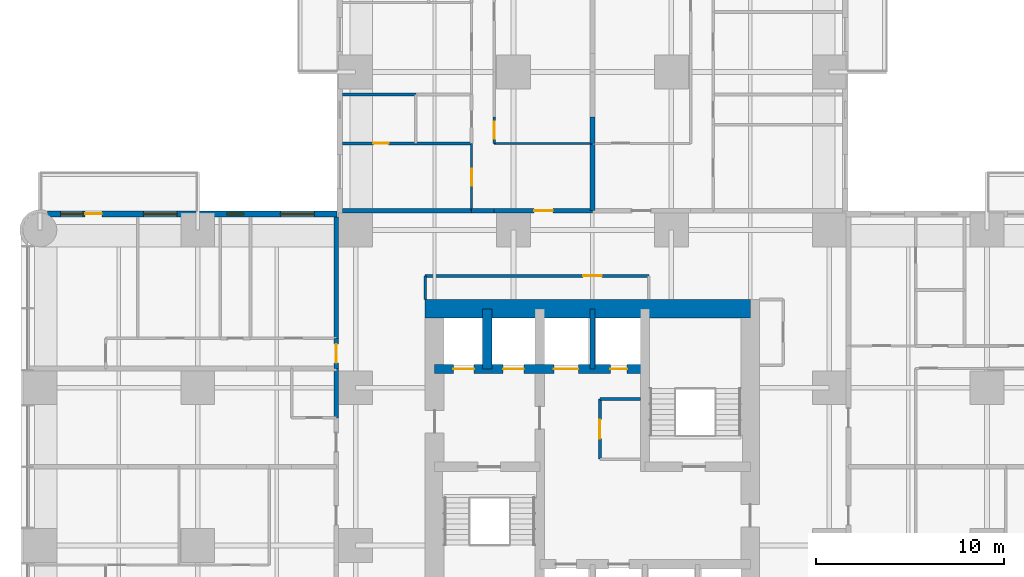
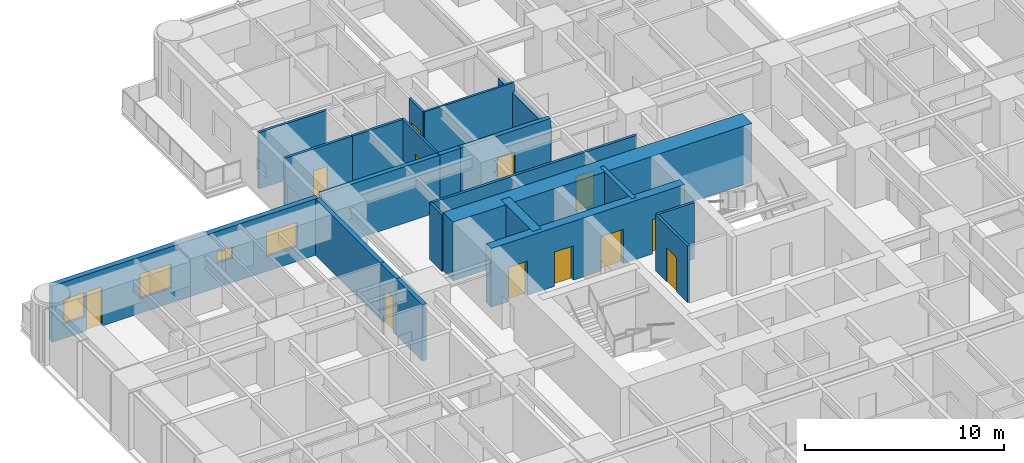
# One storey, part 12 of 17: 23 walls, 12 doors, 4 windows, 16 openings.
"""IFC4 building model written with IfcOpenShell, lengths in metres."""

from ifc_helpers import new_model, si_unit, direction, frame, frame_2d, origin, place, context, subcontext, project, spatial, rectangle, extrude, material, layer, layer_set, type_object, element, fill, save


model = new_model("IFC4")

# Units and contexts
model_context = context("Model", 3, precision=1e-05, world=origin(), true_north=direction((0.0, 1.0)))
body_context = subcontext(model_context, "Body", "Model", "MODEL_VIEW")
ifc_project = project(units=[si_unit("LENGTHUNIT", "METRE"), si_unit("AREAUNIT", "SQUARE_METRE"), si_unit("VOLUMEUNIT", "CUBIC_METRE"), si_unit("PLANEANGLEUNIT", "RADIAN"), si_unit("MASSUNIT", "GRAM", prefix="KILO")], contexts=[model_context])

# Site, building, storey
site_placement = place(None, origin())
site = spatial("IfcSite", under=ifc_project, at=site_placement, CompositionType="ELEMENT")
building_placement = place(site_placement, origin())
building = spatial("IfcBuilding", under=site, at=building_placement, Name="Torre Alcanfor", CompositionType="ELEMENT")
storey_placement = place(building_placement, frame((0.0, 0.0, 41.699951171875)))
storey = spatial("IfcBuildingStorey", under=building, at=storey_placement, Name="L09", CompositionType="ELEMENT", Elevation=41.699951171875)

# Wall, opening, door
ifc_material_1 = material(Name="Concrete block masonry, hollow blocks NMX-C-404 9 MPa", Category="masonry")
ifc_layer_1 = layer(ifc_material_1, 0.25)
ifc_layer_set_1 = layer_set([ifc_layer_1], Name="Apartment entrance wall 250 EI 60")
wall_type_1 = type_object("IfcWallType", Name="Apartment entrance wall 250 EI 60", PredefinedType="PARTITIONING", material=ifc_layer_set_1)
wall_1_placement = place(storey_placement, frame((24.1708984375, 43.02490234375, 0.0), z_axis=(0.0, 0.0, 1.0), x_axis=(1.0, 0.0, 0.0)))
wall_1 = element("IfcWall", 1, at=wall_1_placement, inside=storey, type_object=wall_type_1, Name="Partition L09-CORR / L09-N1-ZAG", PredefinedType="PARTITIONING", context=body_context, shape_type="SweptSolid", body=[
    extrude(rectangle(XDim=5.22900390625, YDim=0.25, at=frame_2d((2.614501953125, 0.0))), origin(), (0.0, 0.0, 1.0), 3.449951171875),
])
opening_1_placement = place(wall_1_placement, frame((2.12890625, 0.0, 0.0)))
opening_1 = element("IfcOpeningElement", 2, at=opening_1_placement, cuts=wall_1, Name="Opening D-A1", PredefinedType="OPENING", context=body_context, shape_type="SweptSolid", body=[
    extrude(rectangle(XDim=1.0, YDim=2.10009765625, at=frame_2d((0.5, 1.050048828125))), frame((0.0, 0.135009765625, 0.0), z_axis=(0.0, -1.0, 0.0), x_axis=(1.0, 0.0, 0.0)), (0.0, 0.0, 1.0), 0.27001953125),
])
ifc_material_2 = material(Name="Galvanised steel sheet ASTM A653", Category="steel")
door_type_1 = type_object("IfcDoorType", Name="Apartment entrance door FD60 1000x2100", OperationType="SINGLE_SWING_LEFT", PredefinedType="DOOR", material=ifc_material_2)
door_1_placement = place(opening_1_placement, origin())
door_1 = element("IfcDoor", 3, at=door_1_placement, inside=storey, type_object=door_type_1, Name="Apartment entrance L09-N1", OperationType="SINGLE_SWING_RIGHT", OverallHeight=2.10009765625, OverallWidth=1.0, PredefinedType="DOOR", context=body_context, shape_type="SweptSolid", body=[
    extrude(rectangle(XDim=1.0, YDim=2.10009765625, at=frame_2d((0.5, 1.050048828125))), frame((0.0, 0.02490234375, 0.0), z_axis=(0.0, -1.0, 0.0), x_axis=(1.0, 0.0, 0.0)), (0.0, 0.0, 1.0), 0.050048828125),
])
fill(opening_1, door_1)

# Walls
wall_2_placement = place(storey_placement, frame((22.970947265625, 43.02490234375, 0.0), z_axis=(0.0, 0.0, 1.0), x_axis=(1.0, 0.0, 0.0)))
element("IfcWall", 4, at=wall_2_placement, inside=storey, type_object=wall_type_1, Name="Partition L09-CORR / L09-N1-HALL", PredefinedType="PARTITIONING", context=body_context, shape_type="SweptSolid", body=[
    extrude(rectangle(XDim=1.199951171875, YDim=0.25, at=frame_2d((0.60009765625, 0.0))), origin(), (0.0, 0.0, 1.0), 3.449951171875),
])
wall_3_placement = place(storey_placement, frame((16.10009765625, 43.02490234375, 0.0), z_axis=(0.0, 0.0, 1.0), x_axis=(1.0, 0.0, 0.0)))
element("IfcWall", 5, at=wall_3_placement, inside=storey, type_object=wall_type_1, Name="Partition L09-CORR / L09-N1-SERV", PredefinedType="PARTITIONING", context=body_context, shape_type="SweptSolid", body=[
    extrude(rectangle(XDim=6.870849609375, YDim=0.25, at=frame_2d((3.435546875, 0.0))), origin(), (0.0, 0.0, 1.0), 3.449951171875),
])
wall_4_placement = place(storey_placement, frame((15.77490234375, 32.0, 0.0), z_axis=(0.0, 0.0, 1.0), x_axis=(0.0, 1.0, 0.0)))
element("IfcWall", 6, at=wall_4_placement, inside=storey, type_object=wall_type_1, Name="Partition L09-CORR / L09-W2A-BATH", PredefinedType="PARTITIONING", context=body_context, shape_type="SweptSolid", body=[
    extrude(rectangle(XDim=2.62890625, YDim=0.25, at=frame_2d((1.314453125, 0.0))), origin(), (0.0, 0.0, 1.0), 3.449951171875),
])

# Wall, opening, door
wall_5_placement = place(storey_placement, frame((15.77490234375, 34.62890625, 0.0), z_axis=(0.0, 0.0, 1.0), x_axis=(0.0, 1.0, 0.0)))
wall_5 = element("IfcWall", 7, at=wall_5_placement, inside=storey, type_object=wall_type_1, Name="Partition L09-CORR / L09-W2B-HALL", PredefinedType="PARTITIONING", context=body_context, shape_type="SweptSolid", body=[
    extrude(rectangle(XDim=1.60009765625, YDim=0.25, at=frame_2d((0.800048828125, 0.0))), origin(), (0.0, 0.0, 1.0), 3.449951171875),
])
opening_2_placement = place(wall_5_placement, frame((0.300048828125, 0.0, 0.0)))
opening_2 = element("IfcOpeningElement", 8, at=opening_2_placement, cuts=wall_5, Name="Opening D-A1", PredefinedType="OPENING", context=body_context, shape_type="SweptSolid", body=[
    extrude(rectangle(XDim=1.0, YDim=2.10009765625, at=frame_2d((0.5, 1.050048828125))), frame((0.0, 0.135009765625, 0.0), z_axis=(0.0, -1.0, 0.0), x_axis=(1.0, 0.0, 0.0)), (0.0, 0.0, 1.0), 0.27001953125),
])
door_2_placement = place(opening_2_placement, origin())
door_2 = element("IfcDoor", 9, at=door_2_placement, inside=storey, type_object=door_type_1, Name="Apartment entrance L09-W2B", OperationType="SINGLE_SWING_LEFT", OverallHeight=2.10009765625, OverallWidth=1.0, PredefinedType="DOOR", context=body_context, shape_type="SweptSolid", body=[
    extrude(rectangle(XDim=1.0, YDim=2.10009765625, at=frame_2d((0.5, 1.050048828125))), frame((0.0, 0.02490234375, 0.0), z_axis=(0.0, -1.0, 0.0), x_axis=(1.0, 0.0, 0.0)), (0.0, 0.0, 1.0), 0.050048828125),
])
fill(opening_2, door_2)

# Walls
wall_6_placement = place(storey_placement, frame((15.77490234375, 36.22900390625, 0.0), z_axis=(0.0, 0.0, 1.0), x_axis=(0.0, 1.0, 0.0)))
element("IfcWall", 10, at=wall_6_placement, inside=storey, type_object=wall_type_1, Name="Partition L09-CORR / L09-W2B-MASTER", PredefinedType="PARTITIONING", context=body_context, shape_type="SweptSolid", body=[
    extrude(rectangle(XDim=6.470947265625, YDim=0.25, at=frame_2d((3.2353515625, 0.0))), origin(), (0.0, 0.0, 1.0), 3.449951171875),
])
ifc_material_3 = material(Name="Gypsum board on steel studs", Category="steel")
ifc_layer_2 = layer(ifc_material_3, 0.1201171875)
ifc_layer_set_2 = layer_set([ifc_layer_2], Name="Apartment partition 120")
wall_type_2 = type_object("IfcWallType", Name="Apartment partition 120", PredefinedType="PARTITIONING", material=ifc_layer_set_2)
wall_7_placement = place(storey_placement, frame((29.39990234375, 46.60009765625, 0.0), z_axis=(0.0, 0.0, 1.0), x_axis=(-1.0, 0.0, 0.0)))
element("IfcWall", 11, at=wall_7_placement, inside=storey, type_object=wall_type_2, Name="Partition L09-N1-ZAG / L09-N1-LAUND", PredefinedType="PARTITIONING", context=body_context, shape_type="SweptSolid", body=[
    extrude(rectangle(XDim=5.22900390625, YDim=0.1201171875, at=frame_2d((2.614501953125, 0.0))), origin(), (0.0, 0.0, 1.0), 3.449951171875),
])

# Wall, opening, door
wall_8_placement = place(storey_placement, frame((24.1708984375, 48.0, 0.0), z_axis=(0.0, 0.0, 1.0), x_axis=(0.0, -1.0, 0.0)))
wall_8 = element("IfcWall", 12, at=wall_8_placement, inside=storey, type_object=wall_type_2, Name="Partition L09-N1-LAUND / L09-N1-HALL", PredefinedType="PARTITIONING", context=body_context, shape_type="SweptSolid", body=[
    extrude(rectangle(XDim=1.39990234375, YDim=0.1201171875, at=frame_2d((0.699951171875, 0.0))), origin(), (0.0, 0.0, 1.0), 3.449951171875),
])
opening_3_placement = place(wall_8_placement, frame((0.25, 0.0, 0.0)))
opening_3 = element("IfcOpeningElement", 13, at=opening_3_placement, cuts=wall_8, Name="Opening D-R1", PredefinedType="OPENING", context=body_context, shape_type="SweptSolid", body=[
    extrude(rectangle(XDim=0.89990234375, YDim=2.10009765625, at=frame_2d((0.449951171875, 1.050048828125))), frame((0.0, 0.070068359375, 0.0), z_axis=(0.0, -1.0, 0.0), x_axis=(1.0, 0.0, 0.0)), (0.0, 0.0, 1.0), 0.14013671875),
])
ifc_material_4 = material(Name="Timber", Category="wood")
door_type_2 = type_object("IfcDoorType", Name="Internal door 900x2100", OperationType="SINGLE_SWING_LEFT", PredefinedType="DOOR", material=ifc_material_4)
door_3_placement = place(opening_3_placement, origin())
door_3 = element("IfcDoor", 14, at=door_3_placement, inside=storey, type_object=door_type_2, Name="Door L09-N1 laund", OperationType="SINGLE_SWING_LEFT", OverallHeight=2.10009765625, OverallWidth=0.89990234375, PredefinedType="DOOR", context=body_context, shape_type="SweptSolid", body=[
    extrude(rectangle(XDim=0.89990234375, YDim=2.10009765625, at=frame_2d((0.449951171875, 1.050048828125))), frame((0.0, 0.02490234375, 0.0), z_axis=(0.0, -1.0, 0.0), x_axis=(1.0, 0.0, 0.0)), (0.0, 0.0, 1.0), 0.050048828125),
])
fill(opening_3, door_3)

wall_9_placement = place(storey_placement, frame((22.970947265625, 46.60009765625, 0.0), z_axis=(0.0, 0.0, 1.0), x_axis=(0.0, -1.0, 0.0)))
wall_9 = element("IfcWall", 15, at=wall_9_placement, inside=storey, type_object=wall_type_2, Name="Partition L09-N1-HALL / L09-N1-SERV", PredefinedType="PARTITIONING", context=body_context, shape_type="SweptSolid", body=[
    extrude(rectangle(XDim=3.5751953125, YDim=0.1201171875, at=frame_2d((1.78759765625, 0.0))), origin(), (0.0, 0.0, 1.0), 3.449951171875),
])
opening_4_placement = place(wall_9_placement, frame((1.35009765625, 0.0, 0.0)))
opening_4 = element("IfcOpeningElement", 16, at=opening_4_placement, cuts=wall_9, Name="Opening D-R1", PredefinedType="OPENING", context=body_context, shape_type="SweptSolid", body=[
    extrude(rectangle(XDim=0.89990234375, YDim=2.10009765625, at=frame_2d((0.449951171875, 1.050048828125))), frame((0.0, 0.070068359375, 0.0), z_axis=(0.0, -1.0, 0.0), x_axis=(1.0, 0.0, 0.0)), (0.0, 0.0, 1.0), 0.14013671875),
])
door_4_placement = place(opening_4_placement, frame((0.89990234375, 0.0, 0.0), z_axis=(0.0, 0.0, 1.0), x_axis=(-1.0, 0.0, 0.0)))
door_4 = element("IfcDoor", 17, at=door_4_placement, inside=storey, type_object=door_type_2, Name="Door L09-N1 serv", OperationType="SINGLE_SWING_LEFT", OverallHeight=2.10009765625, OverallWidth=0.89990234375, PredefinedType="DOOR", context=body_context, shape_type="SweptSolid", body=[
    extrude(rectangle(XDim=0.89990234375, YDim=2.10009765625, at=frame_2d((0.449951171875, 1.050048828125))), frame((0.0, 0.025146484375, 0.0), z_axis=(0.0, -1.0, 0.0), x_axis=(1.0, 0.0, 0.0)), (0.0, 0.0, 1.0), 0.050048828125),
])
fill(opening_4, door_4)

# Wall, openings, doors
ifc_material_5 = material(Name="Concrete f'c 70 MPa", Category="concrete")
ifc_layer_3 = layer(ifc_material_5, 0.5)
ifc_layer_set_3 = layer_set([ifc_layer_3], Name="Core inner wall 500 f'c70")
wall_type_3 = type_object("IfcWallType", Name="Core inner wall 500 f'c70", PredefinedType="SHEAR", material=ifc_layer_set_3)
wall_10_placement = place(storey_placement, frame((21.0, 34.60009765625, 0.0), z_axis=(0.0, 0.0, 1.0), x_axis=(1.0, 0.0, 0.0)))
wall_10 = element("IfcWall", 18, at=wall_10_placement, inside=storey, type_object=wall_type_3, Name="Core wall Y346 L09", PredefinedType="SHEAR", context=body_context, shape_type="SweptSolid", body=[
    extrude(rectangle(XDim=11.199951171875, YDim=0.5, at=frame_2d((5.60009765625, 0.0))), origin(), (0.0, 0.0, 1.0), 3.60009765625),
])
opening_5_placement = place(wall_10_placement, frame((9.35009765625, 0.0, 0.0)))
opening_5 = element("IfcOpeningElement", 19, at=opening_5_placement, cuts=wall_10, Name="Opening D-Q1", PredefinedType="OPENING", context=body_context, shape_type="SweptSolid", body=[
    extrude(rectangle(XDim=0.89990234375, YDim=2.10009765625, at=frame_2d((0.449951171875, 1.050048828125))), frame((0.0, 0.260009765625, 0.0), z_axis=(0.0, -1.0, 0.0), x_axis=(1.0, 0.0, 0.0)), (0.0, 0.0, 1.0), 0.52001953125),
])
opening_6_placement = place(wall_10_placement, frame((1.0, 0.0, 0.0)))
opening_6 = element("IfcOpeningElement", 20, at=opening_6_placement, cuts=wall_10, Name="Opening LD2", PredefinedType="OPENING", context=body_context, shape_type="SweptSolid", body=[
    extrude(rectangle(XDim=1.10009765625, YDim=2.10009765625, at=frame_2d((0.550048828125, 1.050048828125))), frame((0.0, 0.260009765625, 0.0), z_axis=(0.0, -1.0, 0.0), x_axis=(1.0, 0.0, 0.0)), (0.0, 0.0, 1.0), 0.52001953125),
])
opening_7_placement = place(wall_10_placement, frame((3.64990234375, 0.0, 0.0)))
opening_7 = element("IfcOpeningElement", 21, at=opening_7_placement, cuts=wall_10, Name="Opening LD2", PredefinedType="OPENING", context=body_context, shape_type="SweptSolid", body=[
    extrude(rectangle(XDim=1.10009765625, YDim=2.10009765625, at=frame_2d((0.550048828125, 1.050048828125))), frame((0.0, 0.260009765625, 0.0), z_axis=(0.0, -1.0, 0.0), x_axis=(1.0, 0.0, 0.0)), (0.0, 0.0, 1.0), 0.52001953125),
])
opening_8_placement = place(wall_10_placement, frame((6.35009765625, 0.0, 0.0)))
opening_8 = element("IfcOpeningElement", 22, at=opening_8_placement, cuts=wall_10, Name="Opening LD3", PredefinedType="OPENING", context=body_context, shape_type="SweptSolid", body=[
    extrude(rectangle(XDim=1.300048828125, YDim=2.10009765625, at=frame_2d((0.64990234375, 1.050048828125))), frame((0.0, 0.260009765625, 0.0), z_axis=(0.0, -1.0, 0.0), x_axis=(1.0, 0.0, 0.0)), (0.0, 0.0, 1.0), 0.52001953125),
])
ifc_material_6 = material(Name="Galvanised steel sheet ASTM A653", Category="steel")
door_type_3 = type_object("IfcDoorType", Name="Firefighting lift landing door 1100x2100", OperationType="DOUBLE_DOOR_SLIDING", PredefinedType="DOOR", material=ifc_material_6)
door_5_placement = place(opening_6_placement, origin())
door_5 = element("IfcDoor", 23, at=door_5_placement, inside=storey, type_object=door_type_3, Name="Lift landing door FL1 L09", OperationType="DOUBLE_DOOR_SLIDING", OverallHeight=2.10009765625, OverallWidth=1.10009765625, PredefinedType="DOOR", context=body_context, shape_type="SweptSolid", body=[
    extrude(rectangle(XDim=1.10009765625, YDim=2.10009765625, at=frame_2d((0.550048828125, 1.050048828125))), frame((0.0, 0.02490234375, 0.0), z_axis=(0.0, -1.0, 0.0), x_axis=(1.0, 0.0, 0.0)), (0.0, 0.0, 1.0), 0.050048828125),
])
fill(opening_6, door_5)
door_6_placement = place(opening_7_placement, origin())
door_6 = element("IfcDoor", 24, at=door_6_placement, inside=storey, type_object=door_type_3, Name="Lift landing door FL2 L09", OperationType="DOUBLE_DOOR_SLIDING", OverallHeight=2.10009765625, OverallWidth=1.10009765625, PredefinedType="DOOR", context=body_context, shape_type="SweptSolid", body=[
    extrude(rectangle(XDim=1.10009765625, YDim=2.10009765625, at=frame_2d((0.550048828125, 1.050048828125))), frame((0.0, 0.02490234375, 0.0), z_axis=(0.0, -1.0, 0.0), x_axis=(1.0, 0.0, 0.0)), (0.0, 0.0, 1.0), 0.050048828125),
])
fill(opening_7, door_6)
ifc_material_7 = material(Name="Galvanised steel sheet ASTM A653", Category="steel")
door_type_4 = type_object("IfcDoorType", Name="Riser access door FD120 900x2100", OperationType="SINGLE_SWING_LEFT", PredefinedType="DOOR", material=ifc_material_7)
door_7_placement = place(opening_5_placement, origin())
door_7 = element("IfcDoor", 25, at=door_7_placement, inside=storey, type_object=door_type_4, Name="Riser door L09", OperationType="SINGLE_SWING_LEFT", OverallHeight=2.10009765625, OverallWidth=0.89990234375, PredefinedType="DOOR", context=body_context, shape_type="SweptSolid", body=[
    extrude(rectangle(XDim=0.89990234375, YDim=2.10009765625, at=frame_2d((0.449951171875, 1.050048828125))), frame((0.0, 0.02490234375, 0.0), z_axis=(0.0, -1.0, 0.0), x_axis=(1.0, 0.0, 0.0)), (0.0, 0.0, 1.0), 0.050048828125),
])
fill(opening_5, door_7)
ifc_material_8 = material(Name="Galvanised steel sheet ASTM A653", Category="steel")
door_type_5 = type_object("IfcDoorType", Name="Service lift landing door 1300x2100", OperationType="DOUBLE_DOOR_SLIDING", PredefinedType="DOOR", material=ifc_material_8)
door_8_placement = place(opening_8_placement, origin())
door_8 = element("IfcDoor", 26, at=door_8_placement, inside=storey, type_object=door_type_5, Name="Lift landing door SL1 L09", OperationType="DOUBLE_DOOR_SLIDING", OverallHeight=2.10009765625, OverallWidth=1.300048828125, PredefinedType="DOOR", context=body_context, shape_type="SweptSolid", body=[
    extrude(rectangle(XDim=1.300048828125, YDim=2.10009765625, at=frame_2d((0.64990234375, 1.050048828125))), frame((0.0, 0.02490234375, 0.0), z_axis=(0.0, -1.0, 0.0), x_axis=(1.0, 0.0, 0.0)), (0.0, 0.0, 1.0), 0.050048828125),
])
fill(opening_8, door_8)

# Walls
wall_11_placement = place(storey_placement, frame((23.800048828125, 34.60009765625, 0.0), z_axis=(0.0, 0.0, 1.0), x_axis=(0.0, 1.0, 0.0)))
element("IfcWall", 27, at=wall_11_placement, inside=storey, type_object=wall_type_3, Name="Core wall X238 L09", PredefinedType="SHEAR", context=body_context, shape_type="SweptSolid", body=[
    extrude(rectangle(XDim=3.199951171875, YDim=0.5, at=frame_2d((1.60009765625, 0.0))), origin(), (0.0, 0.0, 1.0), 3.60009765625),
])
ifc_material_9 = material(Name="Concrete f'c 70 MPa", Category="concrete")
ifc_layer_4 = layer(ifc_material_9, 0.25)
ifc_layer_set_4 = layer_set([ifc_layer_4], Name="Core shaft wall 250 f'c70")
wall_type_4 = type_object("IfcWallType", Name="Core shaft wall 250 f'c70", PredefinedType="SHEAR", material=ifc_layer_set_4)
wall_12_placement = place(storey_placement, frame((29.39990234375, 34.60009765625, 0.0), z_axis=(0.0, 0.0, 1.0), x_axis=(0.0, 1.0, 0.0)))
element("IfcWall", 28, at=wall_12_placement, inside=storey, type_object=wall_type_4, Name="Core wall X294N L09", PredefinedType="SHEAR", context=body_context, shape_type="SweptSolid", body=[
    extrude(rectangle(XDim=3.199951171875, YDim=0.25, at=frame_2d((1.60009765625, 0.0))), origin(), (0.0, 0.0, 1.0), 3.60009765625),
])
ifc_material_10 = material(Name="Concrete f'c 70 MPa", Category="concrete")
ifc_layer_5 = layer(ifc_material_10, 1.0)
ifc_layer_set_5 = layer_set([ifc_layer_5], Name="Core wall 1000 f'c70")
wall_type_5 = type_object("IfcWallType", Name="Core wall 1000 f'c70", PredefinedType="SHEAR", material=ifc_layer_set_5)
wall_13_placement = place(storey_placement, frame((37.800048828125, 37.800048828125, 0.0), z_axis=(0.0, 0.0, 1.0), x_axis=(-1.0, 0.0, 0.0)))
element("IfcWall", 29, at=wall_13_placement, inside=storey, type_object=wall_type_5, Name="Core wall OUT-N L09", PredefinedType="SHEAR", context=body_context, shape_type="SweptSolid", body=[
    extrude(rectangle(XDim=17.300048828125, YDim=1.0, at=frame_2d((8.64990234375, 0.0))), origin(), (0.0, 0.0, 1.0), 3.60009765625),
])

# Wall, openings, door, windows
ifc_material_11 = material(Name="Limestone cladding", Category="masonry")
ifc_layer_6 = layer(ifc_material_11, 0.0400390625, Name="Facing")
ifc_material_12 = material(Name="Ventilated air cavity")
ifc_layer_7 = layer(ifc_material_12, 0.02001953125, ventilated=True, Name="Ventilated joint")
ifc_material_13 = material(Name="Mineral wool insulation", Category="insulation")
ifc_layer_8 = layer(ifc_material_13, 0.10009765625, Name="Insulation")
ifc_material_14 = material(Name="Concrete f'c 35 MPa", Category="concrete")
ifc_layer_9 = layer(ifc_material_14, 0.139892578125, Name="Backing")
ifc_layer_set_6 = layer_set([ifc_layer_6, ifc_layer_7, ifc_layer_8, ifc_layer_9], Name="External wall stone-clad 300")
wall_type_6 = type_object("IfcWallType", Name="External wall stone-clad 300", PredefinedType="SOLIDWALL", material=ifc_layer_set_6)
wall_14_placement = place(storey_placement, frame((15.800048828125, 42.85009765625, 0.0), z_axis=(0.0, 0.0, 1.0), x_axis=(-1.0, 0.0, 0.0)))
wall_14 = element("IfcWall", 30, at=wall_14_placement, inside=storey, type_object=wall_type_6, Name="External wall L09 1", PredefinedType="SOLIDWALL", context=body_context, shape_type="SweptSolid", body=[
    extrude(rectangle(XDim=15.400146484375, YDim=0.300048828125, at=frame_2d((7.7001953125, 0.0))), origin(), (0.0, 0.0, 1.0), 3.449951171875),
])
opening_9_placement = place(wall_14_placement, frame((1.199951171875, 0.0, 0.89990234375)))
opening_9 = element("IfcOpeningElement", 31, at=opening_9_placement, cuts=wall_14, Name="Opening W2", PredefinedType="OPENING", context=body_context, shape_type="SweptSolid", body=[
    extrude(rectangle(XDim=1.800048828125, YDim=1.5, at=frame_2d((0.89990234375, 0.75))), frame((0.0, 0.159912109375, 0.0), z_axis=(0.0, -1.0, 0.0), x_axis=(1.0, 0.0, 0.0)), (0.0, 0.0, 1.0), 0.320068359375),
])
opening_10_placement = place(wall_14_placement, frame((4.949951171875, 0.0, 1.5)))
opening_10 = element("IfcOpeningElement", 32, at=opening_10_placement, cuts=wall_14, Name="Opening W3", PredefinedType="OPENING", context=body_context, shape_type="SweptSolid", body=[
    extrude(rectangle(XDim=0.89990234375, YDim=0.699951171875, at=frame_2d((0.449951171875, 0.35009765625))), frame((0.0, 0.159912109375, 0.0), z_axis=(0.0, -1.0, 0.0), x_axis=(1.0, 0.0, 0.0)), (0.0, 0.0, 1.0), 0.320068359375),
])
opening_11_placement = place(wall_14_placement, frame((8.5, 0.0, 0.89990234375)))
opening_11 = element("IfcOpeningElement", 33, at=opening_11_placement, cuts=wall_14, Name="Opening W2", PredefinedType="OPENING", context=body_context, shape_type="SweptSolid", body=[
    extrude(rectangle(XDim=1.800048828125, YDim=1.5, at=frame_2d((0.89990234375, 0.75))), frame((0.0, 0.159912109375, 0.0), z_axis=(0.0, -1.0, 0.0), x_axis=(1.0, 0.0, 0.0)), (0.0, 0.0, 1.0), 0.320068359375),
])
opening_12_placement = place(wall_14_placement, frame((12.5, 0.0, 0.0)))
opening_12 = element("IfcOpeningElement", 34, at=opening_12_placement, cuts=wall_14, Name="Opening D-B1", PredefinedType="OPENING", context=body_context, shape_type="SweptSolid", body=[
    extrude(rectangle(XDim=0.89990234375, YDim=2.39990234375, at=frame_2d((0.449951171875, 1.199951171875))), frame((0.0, 0.159912109375, 0.0), z_axis=(0.0, -1.0, 0.0), x_axis=(1.0, 0.0, 0.0)), (0.0, 0.0, 1.0), 0.320068359375),
])
opening_13_placement = place(wall_14_placement, frame((13.5, 0.0, 0.89990234375)))
opening_13 = element("IfcOpeningElement", 35, at=opening_13_placement, cuts=wall_14, Name="Opening W4", PredefinedType="OPENING", context=body_context, shape_type="SweptSolid", body=[
    extrude(rectangle(XDim=1.199951171875, YDim=1.5, at=frame_2d((0.60009765625, 0.75))), frame((0.0, 0.159912109375, 0.0), z_axis=(0.0, -1.0, 0.0), x_axis=(1.0, 0.0, 0.0)), (0.0, 0.0, 1.0), 0.320068359375),
])
ifc_material_15 = material(Name="Aluminium and glass", Category="aluminium")
door_type_6 = type_object("IfcDoorType", Name="Balcony door glazed 900x2400", OperationType="SINGLE_SWING_LEFT", PredefinedType="DOOR", material=ifc_material_15)
door_9_placement = place(opening_12_placement, origin())
door_9 = element("IfcDoor", 36, at=door_9_placement, inside=storey, type_object=door_type_6, Name="Balcony door L09-W2", OperationType="SINGLE_SWING_LEFT", OverallHeight=2.39990234375, OverallWidth=0.89990234375, PredefinedType="DOOR", context=body_context, shape_type="SweptSolid", body=[
    extrude(rectangle(XDim=0.89990234375, YDim=2.39990234375, at=frame_2d((0.449951171875, 1.199951171875))), frame((0.0, 0.02490234375, 0.0), z_axis=(0.0, -1.0, 0.0), x_axis=(1.0, 0.0, 0.0)), (0.0, 0.0, 1.0), 0.050048828125),
])
fill(opening_12, door_9)
ifc_material_16 = material(Name="Aluminium frame with clear double glazing", Category="aluminium")
window_type_1 = type_object("IfcWindowType", Name="Window bathroom 900x700", PartitioningType="SINGLE_PANEL", PredefinedType="WINDOW", material=ifc_material_16)
window_1_placement = place(opening_10_placement, origin())
window_1 = element("IfcWindow", 37, at=window_1_placement, inside=storey, type_object=window_type_1, Name="Window W3 L09-W2", OverallHeight=0.699951171875, OverallWidth=0.89990234375, PartitioningType="SINGLE_PANEL", PredefinedType="WINDOW", context=body_context, shape_type="SweptSolid", body=[
    extrude(rectangle(XDim=0.89990234375, YDim=0.699951171875, at=frame_2d((0.449951171875, 0.35009765625))), frame((0.0, 0.030029296875, 0.0), z_axis=(0.0, -1.0, 0.0), x_axis=(1.0, 0.0, 0.0)), (0.0, 0.0, 1.0), 0.06005859375),
])
fill(opening_10, window_1)
ifc_material_17 = material(Name="Aluminium frame with clear double glazing", Category="aluminium")
window_type_2 = type_object("IfcWindowType", Name="Window bedroom 1200x1500", PartitioningType="SINGLE_PANEL", PredefinedType="WINDOW", material=ifc_material_17)
window_2_placement = place(opening_13_placement, origin())
window_2 = element("IfcWindow", 38, at=window_2_placement, inside=storey, type_object=window_type_2, Name="Window W4 L09-W2", OverallHeight=1.5, OverallWidth=1.199951171875, PartitioningType="SINGLE_PANEL", PredefinedType="WINDOW", context=body_context, shape_type="SweptSolid", body=[
    extrude(rectangle(XDim=1.199951171875, YDim=1.5, at=frame_2d((0.60009765625, 0.75))), frame((0.0, 0.030029296875, 0.0), z_axis=(0.0, -1.0, 0.0), x_axis=(1.0, 0.0, 0.0)), (0.0, 0.0, 1.0), 0.06005859375),
])
fill(opening_13, window_2)
ifc_material_18 = material(Name="Aluminium frame with clear double glazing", Category="aluminium")
window_type_3 = type_object("IfcWindowType", Name="Window bedroom 1800x1500", PartitioningType="SINGLE_PANEL", PredefinedType="WINDOW", material=ifc_material_18)
window_3_placement = place(opening_9_placement, origin())
window_3 = element("IfcWindow", 39, at=window_3_placement, inside=storey, type_object=window_type_3, Name="Window W2 L09-W2", OverallHeight=1.5, OverallWidth=1.800048828125, PartitioningType="SINGLE_PANEL", PredefinedType="WINDOW", context=body_context, shape_type="SweptSolid", body=[
    extrude(rectangle(XDim=1.800048828125, YDim=1.5, at=frame_2d((0.89990234375, 0.75))), frame((0.0, 0.030029296875, 0.0), z_axis=(0.0, -1.0, 0.0), x_axis=(1.0, 0.0, 0.0)), (0.0, 0.0, 1.0), 0.06005859375),
])
fill(opening_9, window_3)
window_4_placement = place(opening_11_placement, origin())
window_4 = element("IfcWindow", 40, at=window_4_placement, inside=storey, type_object=window_type_3, Name="Window W2 L09-W2", OverallHeight=1.5, OverallWidth=1.800048828125, PartitioningType="SINGLE_PANEL", PredefinedType="WINDOW", context=body_context, shape_type="SweptSolid", body=[
    extrude(rectangle(XDim=1.800048828125, YDim=1.5, at=frame_2d((0.89990234375, 0.75))), frame((0.0, 0.030029296875, 0.0), z_axis=(0.0, -1.0, 0.0), x_axis=(1.0, 0.0, 0.0)), (0.0, 0.0, 1.0), 0.06005859375),
])
fill(opening_11, window_4)

# Walls
ifc_material_19 = material(Name="Concrete block masonry, hollow blocks NMX-C-404 9 MPa", Category="masonry")
ifc_layer_10 = layer(ifc_material_19, 0.25)
ifc_layer_set_7 = layer_set([ifc_layer_10], Name="Party wall 250 EI 60")
wall_type_7 = type_object("IfcWallType", Name="Party wall 250 EI 60", PredefinedType="PARTITIONING", material=ifc_layer_set_7)
wall_15_placement = place(storey_placement, frame((29.39990234375, 43.02490234375, 0.0), z_axis=(0.0, 0.0, 1.0), x_axis=(0.0, 1.0, 0.0)))
element("IfcWall", 41, at=wall_15_placement, inside=storey, type_object=wall_type_7, Name="Partition L09-N1-ZAG / L09-N2-ZAG", PredefinedType="PARTITIONING", context=body_context, shape_type="SweptSolid", body=[
    extrude(rectangle(XDim=3.5751953125, YDim=0.25, at=frame_2d((1.78759765625, 0.0))), origin(), (0.0, 0.0, 1.0), 2.84814453125),
])
wall_16_placement = place(storey_placement, frame((29.39990234375, 46.60009765625, 0.0), z_axis=(0.0, 0.0, 1.0), x_axis=(0.0, 1.0, 0.0)))
element("IfcWall", 42, at=wall_16_placement, inside=storey, type_object=wall_type_7, Name="Partition L09-N1-LAUND / L09-N2-KITCHEN", PredefinedType="PARTITIONING", context=body_context, shape_type="SweptSolid", body=[
    extrude(rectangle(XDim=1.39990234375, YDim=0.25, at=frame_2d((0.699951171875, 0.0))), origin(), (0.0, 0.0, 1.0), 2.84814453125),
])

# Wall, opening, door
ifc_material_20 = material(Name="Concrete block masonry, hollow blocks NMX-C-404 9 MPa", Category="masonry")
ifc_layer_11 = layer(ifc_material_20, 0.14990234375)
ifc_layer_set_8 = layer_set([ifc_layer_11], Name="Residents' room partition 150")
wall_type_8 = type_object("IfcWallType", Name="Residents' room partition 150", PredefinedType="PARTITIONING", material=ifc_layer_set_8)
wall_17_placement = place(storey_placement, frame((32.39990234375, 39.550048828125, 0.0), z_axis=(0.0, 0.0, 1.0), x_axis=(-1.0, 0.0, 0.0)))
wall_17 = element("IfcWall", 43, at=wall_17_placement, inside=storey, type_object=wall_type_8, Name="Partition L09-CORR / L09-G01", PredefinedType="PARTITIONING", context=body_context, shape_type="SweptSolid", body=[
    extrude(rectangle(XDim=11.89990234375, YDim=0.14990234375, at=frame_2d((5.949951171875, 0.0))), origin(), (0.0, 0.0, 1.0), 3.449951171875),
])
opening_14_placement = place(wall_17_placement, frame((2.5, 0.0, 0.0)))
opening_14 = element("IfcOpeningElement", 44, at=opening_14_placement, cuts=wall_17, Name="Opening D-M1", PredefinedType="OPENING", context=body_context, shape_type="SweptSolid", body=[
    extrude(rectangle(XDim=1.0, YDim=2.10009765625, at=frame_2d((0.5, 1.050048828125))), frame((0.0, 0.0849609375, 0.0), z_axis=(0.0, -1.0, 0.0), x_axis=(1.0, 0.0, 0.0)), (0.0, 0.0, 1.0), 0.169921875),
])
ifc_material_21 = material(Name="Timber", Category="wood")
door_type_7 = type_object("IfcDoorType", Name="Residents' room door 1000x2100", OperationType="SINGLE_SWING_LEFT", PredefinedType="DOOR", material=ifc_material_21)
door_10_placement = place(opening_14_placement, origin())
door_10 = element("IfcDoor", 45, at=door_10_placement, inside=storey, type_object=door_type_7, Name="Door L09-G01 residents' storage lockers", OperationType="SINGLE_SWING_LEFT", OverallHeight=2.10009765625, OverallWidth=1.0, PredefinedType="DOOR", context=body_context, shape_type="SweptSolid", body=[
    extrude(rectangle(XDim=1.0, YDim=2.10009765625, at=frame_2d((0.5, 1.050048828125))), frame((0.0, 0.02490234375, 0.0), z_axis=(0.0, -1.0, 0.0), x_axis=(1.0, 0.0, 0.0)), (0.0, 0.0, 1.0), 0.050048828125),
])
fill(opening_14, door_10)

# Wall
wall_18_placement = place(storey_placement, frame((20.5, 39.550048828125, 0.0), z_axis=(0.0, 0.0, 1.0), x_axis=(0.0, -1.0, 0.0)))
element("IfcWall", 46, at=wall_18_placement, inside=storey, type_object=wall_type_8, Name="Partition L09-CORR / L09-G01", PredefinedType="PARTITIONING", context=body_context, shape_type="SweptSolid", body=[
    extrude(rectangle(XDim=1.25, YDim=0.14990234375, at=frame_2d((0.625, 0.0))), origin(), (0.0, 0.0, 1.0), 3.449951171875),
])

# Wall, opening, door
wall_19_placement = place(storey_placement, frame((29.800048828125, 29.800048828125, 0.0), z_axis=(0.0, 0.0, 1.0), x_axis=(0.0, 1.0, 0.0)))
wall_19 = element("IfcWall", 47, at=wall_19_placement, inside=storey, type_object=wall_type_8, Name="Partition L09-LL / L09-CR1", PredefinedType="PARTITIONING", context=body_context, shape_type="SweptSolid", body=[
    extrude(rectangle(XDim=3.199951171875, YDim=0.14990234375, at=frame_2d((1.60009765625, 0.0))), origin(), (0.0, 0.0, 1.0), 3.449951171875),
])
opening_15_placement = place(wall_19_placement, frame((1.10009765625, 0.0, 0.0)))
opening_15 = element("IfcOpeningElement", 48, at=opening_15_placement, cuts=wall_19, Name="Opening D-M1", PredefinedType="OPENING", context=body_context, shape_type="SweptSolid", body=[
    extrude(rectangle(XDim=1.0, YDim=2.10009765625, at=frame_2d((0.5, 1.050048828125))), frame((0.0, 0.0849609375, 0.0), z_axis=(0.0, -1.0, 0.0), x_axis=(1.0, 0.0, 0.0)), (0.0, 0.0, 1.0), 0.169921875),
])
door_11_placement = place(opening_15_placement, frame((1.0, 0.0, 0.0), z_axis=(0.0, 0.0, 1.0), x_axis=(-1.0, 0.0, 0.0)))
door_11 = element("IfcDoor", 49, at=door_11_placement, inside=storey, type_object=door_type_7, Name="Residents' parcel room door L09", OperationType="SINGLE_SWING_RIGHT", OverallHeight=2.10009765625, OverallWidth=1.0, PredefinedType="DOOR", context=body_context, shape_type="SweptSolid", body=[
    extrude(rectangle(XDim=1.0, YDim=2.10009765625, at=frame_2d((0.5, 1.050048828125))), frame((0.0, 0.025146484375, 0.0), z_axis=(0.0, -1.0, 0.0), x_axis=(1.0, 0.0, 0.0)), (0.0, 0.0, 1.0), 0.050048828125),
])
fill(opening_15, door_11)

# Walls
wall_20_placement = place(storey_placement, frame((29.800048828125, 33.0, 0.0), z_axis=(0.0, 0.0, 1.0), x_axis=(1.0, 0.0, 0.0)))
element("IfcWall", 50, at=wall_20_placement, inside=storey, type_object=wall_type_8, Name="Partition L09-LL / L09-CR1", PredefinedType="PARTITIONING", context=body_context, shape_type="SweptSolid", body=[
    extrude(rectangle(XDim=2.14990234375, YDim=0.14990234375, at=frame_2d((1.074951171875, 0.0))), origin(), (0.0, 0.0, 1.0), 3.449951171875),
])
ifc_material_22 = material(Name="Cement board on steel studs", Category="steel")
ifc_layer_12 = layer(ifc_material_22, 0.14990234375)
ifc_layer_set_9 = layer_set([ifc_layer_12], Name="Wet area partition 150")
wall_type_9 = type_object("IfcWallType", Name="Wet area partition 150", PredefinedType="PARTITIONING", material=ifc_layer_set_9)
wall_21_placement = place(storey_placement, frame((22.970947265625, 46.60009765625, 0.0), z_axis=(0.0, 0.0, 1.0), x_axis=(-1.0, 0.0, 0.0)))
element("IfcWall", 51, at=wall_21_placement, inside=storey, type_object=wall_type_9, Name="Partition L09-N1-SERV / L09-N1-BATH1", PredefinedType="PARTITIONING", context=body_context, shape_type="SweptSolid", body=[
    extrude(rectangle(XDim=2.970947265625, YDim=0.14990234375, at=frame_2d((1.4853515625, 0.0))), origin(), (0.0, 0.0, 1.0), 3.449951171875),
])

# Wall, opening, door
wall_22_placement = place(storey_placement, frame((20.0, 46.60009765625, 0.0), z_axis=(0.0, 0.0, 1.0), x_axis=(-1.0, 0.0, 0.0)))
wall_22 = element("IfcWall", 52, at=wall_22_placement, inside=storey, type_object=wall_type_9, Name="Partition L09-N1-SERV / L09-N1-SBATH", PredefinedType="PARTITIONING", context=body_context, shape_type="SweptSolid", body=[
    extrude(rectangle(XDim=3.89990234375, YDim=0.14990234375, at=frame_2d((1.949951171875, 0.0))), origin(), (0.0, 0.0, 1.0), 3.449951171875),
])
opening_16_placement = place(wall_22_placement, frame((1.449951171875, 0.0, 0.0)))
opening_16 = element("IfcOpeningElement", 53, at=opening_16_placement, cuts=wall_22, Name="Opening D-R2", PredefinedType="OPENING", context=body_context, shape_type="SweptSolid", body=[
    extrude(rectangle(XDim=0.800048828125, YDim=2.10009765625, at=frame_2d((0.39990234375, 1.050048828125))), frame((0.0, 0.0849609375, 0.0), z_axis=(0.0, -1.0, 0.0), x_axis=(1.0, 0.0, 0.0)), (0.0, 0.0, 1.0), 0.169921875),
])
ifc_material_23 = material(Name="Timber", Category="wood")
door_type_8 = type_object("IfcDoorType", Name="Bathroom door 800x2100", OperationType="SINGLE_SWING_LEFT", PredefinedType="DOOR", material=ifc_material_23)
door_12_placement = place(opening_16_placement, frame((0.800048828125, 0.0, 0.0), z_axis=(0.0, 0.0, 1.0), x_axis=(-1.0, 0.0, 0.0)))
door_12 = element("IfcDoor", 54, at=door_12_placement, inside=storey, type_object=door_type_8, Name="Door L09-N1 sbath", OperationType="SINGLE_SWING_RIGHT", OverallHeight=2.10009765625, OverallWidth=0.800048828125, PredefinedType="DOOR", context=body_context, shape_type="SweptSolid", body=[
    extrude(rectangle(XDim=0.800048828125, YDim=2.10009765625, at=frame_2d((0.400146484375, 1.050048828125))), frame((0.0, 0.025146484375, 0.0), z_axis=(0.0, -1.0, 0.0), x_axis=(1.0, 0.0, 0.0)), (0.0, 0.0, 1.0), 0.050048828125),
])
fill(opening_16, door_12)

# Wall
wall_23_placement = place(storey_placement, frame((20.0, 49.199951171875, 0.0), z_axis=(0.0, 0.0, 1.0), x_axis=(-1.0, 0.0, 0.0)))
element("IfcWall", 55, at=wall_23_placement, inside=storey, type_object=wall_type_9, Name="Partition L09-N1-SBATH / L09-N1-BED3", PredefinedType="PARTITIONING", context=body_context, shape_type="SweptSolid", body=[
    extrude(rectangle(XDim=3.89990234375, YDim=0.14990234375, at=frame_2d((1.949951171875, 0.0))), origin(), (0.0, 0.0, 1.0), 3.449951171875),
])

save(model, "model.ifc")
